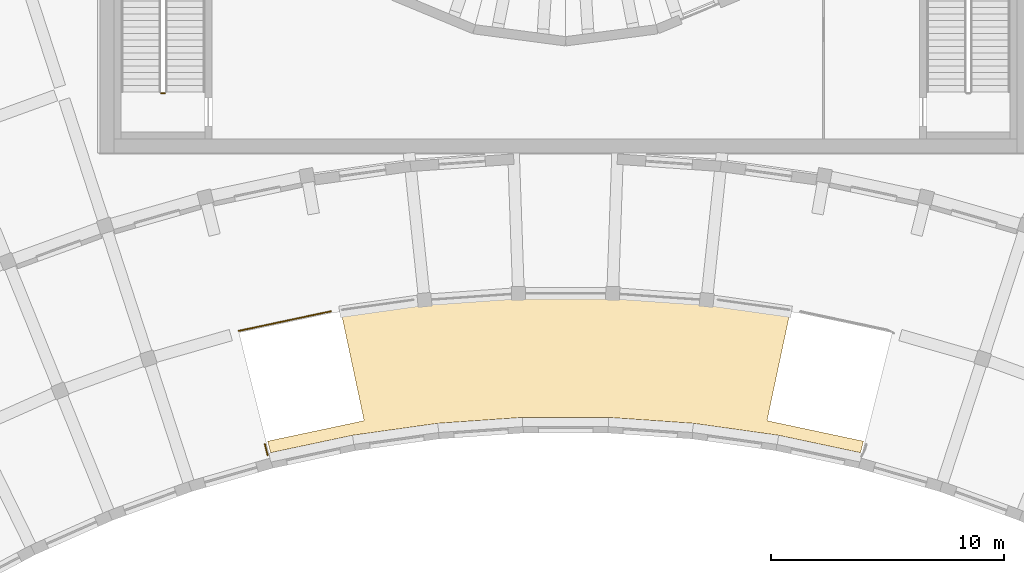
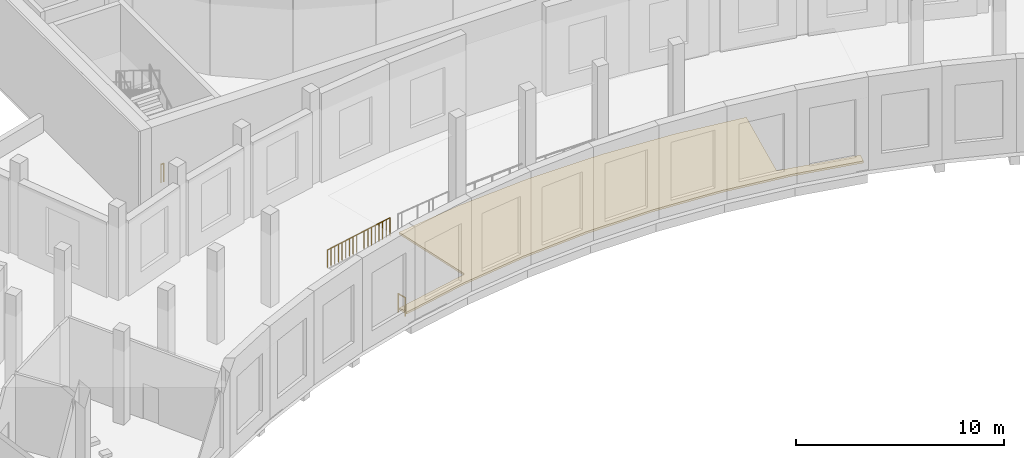
# One storey, part 106 of 132: 3 railings, 1 covering.
"""IFC4 building model written with IfcOpenShell, lengths in metres."""

from ifc_helpers import new_model, si_unit, direction, frame, origin, origin_2d, place, context, subcontext, project, spatial, polyline, circle, outline, extrude, material, layer, layer_set, type_object, element, save


model = new_model("IFC4")

# Units and contexts
model_context = context("Model", 3, precision=1e-05, world=origin(), true_north=direction((0.0, 1.0)))
body_context = subcontext(model_context, "Body", "Model", "MODEL_VIEW")
ifc_project = project(units=[si_unit("LENGTHUNIT", "METRE"), si_unit("AREAUNIT", "SQUARE_METRE"), si_unit("VOLUMEUNIT", "CUBIC_METRE"), si_unit("PLANEANGLEUNIT", "RADIAN"), si_unit("MASSUNIT", "GRAM", prefix="KILO")], contexts=[model_context])

# Site, building, storey
site_placement = place(None, origin())
site = spatial("IfcSite", under=ifc_project, at=site_placement, CompositionType="ELEMENT")
building_placement = place(site_placement, origin())
building = spatial("IfcBuilding", under=site, at=building_placement, Name="Lunette Opera House", CompositionType="ELEMENT")
storey_placement = place(building_placement, frame((0.0, 0.0, 17.0)))
storey = spatial("IfcBuildingStorey", under=building, at=storey_placement, Name="L03", CompositionType="ELEMENT", Elevation=17.0)

# Railings
ifc_material_1 = material(Name="Steel S355", Category="steel")
railing_type_1 = type_object("IfcRailingType", Name="DECK GUARD 1100", PredefinedType="GUARDRAIL", material=ifc_material_1)
railing_1_placement = place(storey_placement, frame((83.197021484375, 51.01904296875, 0.0)))
element("IfcRailing", 1, at=railing_1_placement, inside=storey, type_object=railing_type_1, Name="Deck guard 023", PredefinedType="GUARDRAIL", context=body_context, shape_type="SweptSolid", body=[
    extrude(circle(Radius=0.02392578125, at=origin_2d()), frame((0.0, 0.0, 1.076171875), z_axis=(-0.240426815753, 0.970667268567, 0.0), x_axis=(-0.970667268567, -0.240426815753, 0.0)), (0.0, 0.0, 1.0), 0.490478515625),
    extrude(circle(Radius=0.02099609375, at=origin_2d()), origin(), (0.0, 0.0, 1.0), 1.052001953125),
    extrude(circle(Radius=0.02099609375, at=origin_2d()), frame((-0.117919921875, 0.47607421875, 0.0)), (0.0, 0.0, 1.0), 1.052001953125),
])
railing_2_placement = place(storey_placement, frame((81.951904296875, 56.35498046875, 0.0)))
element("IfcRailing", 2, at=railing_2_placement, inside=storey, type_object=railing_type_1, Name="Deck guard 024", PredefinedType="GUARDRAIL", context=body_context, shape_type="SweptSolid", body=[
    extrude(circle(Radius=0.02392578125, at=origin_2d()), frame((0.0, 0.0, 1.076171875), z_axis=(0.977727439508, 0.209878665025, 0.0), x_axis=(-0.209878665025, 0.977727439508, 0.0)), (0.0, 0.0, 1.0), 0.238525390625),
    extrude(circle(Radius=0.02392578125, at=origin_2d()), frame((0.233154296875, 0.050048828125, 1.076171875), z_axis=(0.978517124445, 0.206165557666, 0.0), x_axis=(-0.206165557666, 0.978517124445, 0.0)), (0.0, 0.0, 1.0), 0.238037109375),
    extrude(circle(Radius=0.02392578125, at=origin_2d()), frame((0.466064453125, 0.09912109375, 1.076171875), z_axis=(0.977892327763, 0.20910905122, 0.0), x_axis=(-0.20910905122, 0.977892327763, 0.0)), (0.0, 0.0, 1.0), 0.23828125),
    extrude(circle(Radius=0.02392578125, at=origin_2d()), frame((0.698974609375, 0.14892578125, 1.076171875), z_axis=(0.978560655463, 0.205958839527, 0.0), x_axis=(-0.205958839527, 0.978560655463, 0.0)), (0.0, 0.0, 1.0), 0.23828125),
    extrude(circle(Radius=0.02392578125, at=origin_2d()), frame((0.93212890625, 0.197998046875, 1.076171875), z_axis=(0.977682274356, 0.210088958326, 0.0), x_axis=(-0.210088958326, 0.977682274356, 0.0)), (0.0, 0.0, 1.0), 0.23828125),
    extrude(circle(Radius=0.02392578125, at=origin_2d()), frame((1.1650390625, 0.248046875, 1.076171875), z_axis=(0.978560655463, 0.205958839527, 0.0), x_axis=(-0.205958839527, 0.978560655463, 0.0)), (0.0, 0.0, 1.0), 0.23828125),
    extrude(circle(Radius=0.02392578125, at=origin_2d()), frame((1.398193359375, 0.297119140625, 1.076171875), z_axis=(0.977892327763, 0.20910905122, 0.0), x_axis=(-0.20910905122, 0.977892327763, 0.0)), (0.0, 0.0, 1.0), 0.23828125),
    extrude(circle(Radius=0.02392578125, at=origin_2d()), frame((1.631103515625, 0.346923828125, 1.076171875), z_axis=(0.978341682443, 0.206996503338, 0.0), x_axis=(-0.206996503338, 0.978341682443, 0.0)), (0.0, 0.0, 1.0), 0.237060546875),
    extrude(circle(Radius=0.02392578125, at=origin_2d()), frame((1.863037109375, 0.39599609375, 1.076171875), z_axis=(0.977704873894, 0.209983760239, 0.0), x_axis=(-0.209983760239, 0.977704873894, 0.0)), (0.0, 0.0, 1.0), 0.476806640625),
    extrude(circle(Radius=0.02392578125, at=origin_2d()), frame((2.3291015625, 0.49609375, 1.076171875), z_axis=(0.978723596062, 0.205183143829, 0.0), x_axis=(-0.205183143829, 0.978723596062, 0.0)), (0.0, 0.0, 1.0), 0.238037109375),
    extrude(circle(Radius=0.02392578125, at=origin_2d()), frame((2.56201171875, 0.544921875, 1.076171875), z_axis=(0.977727439508, 0.209878665025, 0.0), x_axis=(-0.209878665025, 0.977727439508, 0.0)), (0.0, 0.0, 1.0), 0.238525390625),
    extrude(circle(Radius=0.02392578125, at=origin_2d()), frame((2.795166015625, 0.594970703125, 1.076171875), z_axis=(0.978517124445, 0.206165557666, 0.0), x_axis=(-0.206165557666, 0.978517124445, 0.0)), (0.0, 0.0, 1.0), 0.238037109375),
    extrude(circle(Radius=0.02392578125, at=origin_2d()), frame((3.028076171875, 0.64404296875, 1.076171875), z_axis=(0.977682274356, 0.210088958326, 0.0), x_axis=(-0.210088958326, 0.977682274356, 0.0)), (0.0, 0.0, 1.0), 0.23828125),
    extrude(circle(Radius=0.02392578125, at=origin_2d()), frame((3.260986328125, 0.694091796875, 1.076171875), z_axis=(0.978766722274, 0.204977324036, 0.0), x_axis=(-0.204977324036, 0.978766722274, 0.0)), (0.0, 0.0, 1.0), 0.23828125),
    extrude(circle(Radius=0.02392578125, at=origin_2d()), frame((3.494140625, 0.742919921875, 1.076171875), z_axis=(0.977500248691, 0.210934264191, 0.0), x_axis=(-0.210934264191, 0.977500248691, 0.0)), (0.0, 0.0, 1.0), 0.2373046875),
    extrude(circle(Radius=0.02392578125, at=origin_2d()), frame((3.72607421875, 0.79296875, 1.076171875), z_axis=(0.978771972692, 0.204952251687, 0.0), x_axis=(-0.204952251687, 0.978771972692, 0.0)), (0.0, 0.0, 1.0), 0.244140625),
    extrude(circle(Radius=0.02099609375, at=origin_2d()), origin(), (0.0, 0.0, 1.0), 1.052001953125),
    extrude(circle(Radius=0.02099609375, at=origin_2d()), frame((0.233154296875, 0.050048828125, 0.0)), (0.0, 0.0, 1.0), 1.052001953125),
    extrude(circle(Radius=0.02099609375, at=origin_2d()), frame((0.466064453125, 0.09912109375, 0.0)), (0.0, 0.0, 1.0), 1.052001953125),
    extrude(circle(Radius=0.02099609375, at=origin_2d()), frame((0.698974609375, 0.14892578125, 0.0)), (0.0, 0.0, 1.0), 1.052001953125),
    extrude(circle(Radius=0.02099609375, at=origin_2d()), frame((0.93212890625, 0.197998046875, 0.0)), (0.0, 0.0, 1.0), 1.052001953125),
    extrude(circle(Radius=0.02099609375, at=origin_2d()), frame((1.1650390625, 0.248046875, 0.0)), (0.0, 0.0, 1.0), 1.052001953125),
    extrude(circle(Radius=0.02099609375, at=origin_2d()), frame((1.398193359375, 0.297119140625, 0.0)), (0.0, 0.0, 1.0), 1.052001953125),
    extrude(circle(Radius=0.02099609375, at=origin_2d()), frame((1.631103515625, 0.346923828125, 0.0)), (0.0, 0.0, 1.0), 1.052001953125),
    extrude(circle(Radius=0.02099609375, at=origin_2d()), frame((1.863037109375, 0.39599609375, 0.0)), (0.0, 0.0, 1.0), 1.052001953125),
    extrude(circle(Radius=0.02099609375, at=origin_2d()), frame((2.3291015625, 0.49609375, 0.0)), (0.0, 0.0, 1.0), 1.052001953125),
    extrude(circle(Radius=0.02099609375, at=origin_2d()), frame((2.56201171875, 0.544921875, 0.0)), (0.0, 0.0, 1.0), 1.052001953125),
    extrude(circle(Radius=0.02099609375, at=origin_2d()), frame((2.795166015625, 0.594970703125, 0.0)), (0.0, 0.0, 1.0), 1.052001953125),
    extrude(circle(Radius=0.02099609375, at=origin_2d()), frame((3.028076171875, 0.64404296875, 0.0)), (0.0, 0.0, 1.0), 1.052001953125),
    extrude(circle(Radius=0.02099609375, at=origin_2d()), frame((3.260986328125, 0.694091796875, 0.0)), (0.0, 0.0, 1.0), 1.052001953125),
    extrude(circle(Radius=0.02099609375, at=origin_2d()), frame((3.494140625, 0.742919921875, 0.0)), (0.0, 0.0, 1.0), 1.052001953125),
    extrude(circle(Radius=0.02099609375, at=origin_2d()), frame((3.72607421875, 0.79296875, 0.0)), (0.0, 0.0, 1.0), 1.052001953125),
    extrude(circle(Radius=0.02099609375, at=origin_2d()), frame((3.965087890625, 0.843017578125, 0.0)), (0.0, 0.0, 1.0), 1.052001953125),
])

# Covering
ifc_material_2 = material(Name="Bitumen membrane on mineral wool")
ifc_layer = layer(ifc_material_2, 0.1201171875)
ifc_layer_set = layer_set([ifc_layer], Name="Bitumen membrane on mineral wool")
covering_type = type_object("IfcCoveringType", Name="FLAT ROOF MEMBRANE 120", PredefinedType="ROOFING", material=ifc_layer_set)
covering_placement = place(storey_placement, origin())
element("IfcCovering", 3, at=covering_placement, inside=storey, type_object=covering_type, Name="Flat roof membrane FC L02 21", PredefinedType="ROOFING", context=body_context, shape_type="SweptSolid", body=[
    extrude(outline(polyline([(108.797119140625, 51.616943359375), (108.673095703125, 51.12109375), (105.14892578125, 51.868896484375), (105.14697265625, 51.8701171875), (105.14501953125, 51.8701171875), (105.14404296875, 51.8701171875), (101.508056640625, 52.381103515625), (101.506103515625, 52.382080078125), (101.5048828125, 52.382080078125), (101.5029296875, 52.382080078125), (97.841064453125, 52.637939453125), (97.839111328125, 52.637939453125), (97.837890625, 52.637939453125), (97.8359375, 52.637939453125), (94.1640625, 52.637939453125), (94.162109375, 52.637939453125), (94.160888671875, 52.637939453125), (94.158935546875, 52.637939453125), (90.4970703125, 52.382080078125), (90.4951171875, 52.382080078125), (90.493896484375, 52.382080078125), (90.491943359375, 52.381103515625), (86.85595703125, 51.8701171875), (86.85498046875, 51.8701171875), (86.85302734375, 51.8701171875), (86.85107421875, 51.868896484375), (83.326904296875, 51.12109375), (83.202880859375, 51.616943359375), (87.297119140625, 52.487060546875), (87.302001953125, 52.488037109375), (87.306884765625, 52.489990234375), (87.31103515625, 52.491943359375), (87.31494140625, 52.4951171875), (87.319091796875, 52.498046875), (87.322998046875, 52.5009765625), (87.325927734375, 52.5048828125), (87.3291015625, 52.509033203125), (87.3310546875, 52.512939453125), (87.3330078125, 52.51708984375), (87.3349609375, 52.52197265625), (87.3359375, 52.527099609375), (87.3369140625, 52.531982421875), (87.3369140625, 52.537109375), (87.3369140625, 52.5419921875), (87.3359375, 52.5458984375), (86.365966796875, 57.110107421875), (89.944091796875, 57.612060546875), (93.97802734375, 57.89501953125), (98.02197265625, 57.89501953125), (102.055908203125, 57.612060546875), (105.634033203125, 57.110107421875), (104.6640625, 52.5458984375), (104.6630859375, 52.5419921875), (104.6630859375, 52.537109375), (104.6630859375, 52.531982421875), (104.6640625, 52.527099609375), (104.6650390625, 52.52197265625), (104.6669921875, 52.51708984375), (104.6689453125, 52.512939453125), (104.6708984375, 52.509033203125), (104.674072265625, 52.5048828125), (104.677001953125, 52.5009765625), (104.680908203125, 52.498046875), (104.68505859375, 52.4951171875), (104.68896484375, 52.491943359375), (104.693115234375, 52.489990234375), (104.697998046875, 52.488037109375), (104.702880859375, 52.487060546875), (108.797119140625, 51.616943359375)])), origin(), (0.0, 0.0, 1.0), 0.1201171875),
])

# Railing
ifc_material_3 = material(Name="Steel S355", Category="steel")
railing_type_2 = type_object("IfcRailingType", Name="STAIR GUARD 1100", PredefinedType="GUARDRAIL", material=ifc_material_3)
railing_3_placement = place(storey_placement, frame((78.780029296875, 66.570068359375, 0.0)))
element("IfcRailing", 4, at=railing_3_placement, inside=storey, type_object=railing_type_2, Name="L03 ST7 stair guard 4", PredefinedType="GUARDRAIL", context=body_context, shape_type="SweptSolid", body=[
    extrude(circle(Radius=0.02392578125, at=origin_2d()), frame((0.0, 0.0, 1.076171875), z_axis=(-1.0, 0.0, 0.0), x_axis=(0.0, -1.0, 0.0)), (0.0, 0.0, 1.0), 0.159912109375),
    extrude(circle(Radius=0.02099609375, at=origin_2d()), origin(), (0.0, 0.0, 1.0), 1.052001953125),
    extrude(circle(Radius=0.02099609375, at=origin_2d()), frame((-0.159912109375, 0.0, 0.0)), (0.0, 0.0, 1.0), 1.052001953125),
])

save(model, "model.ifc")
